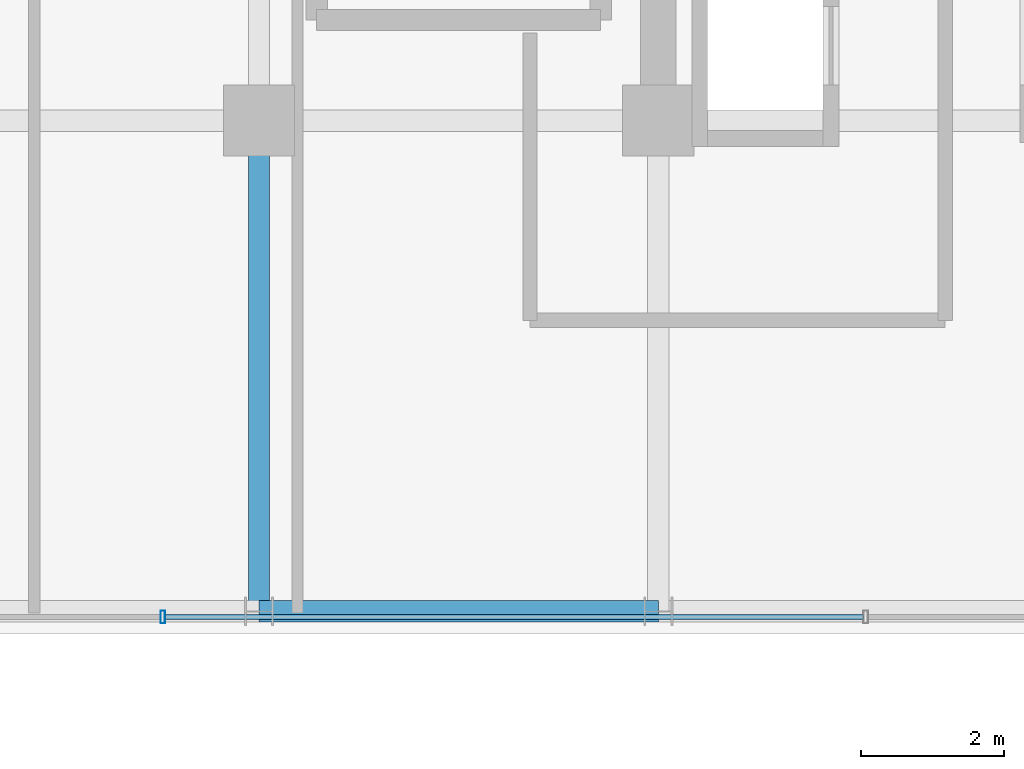
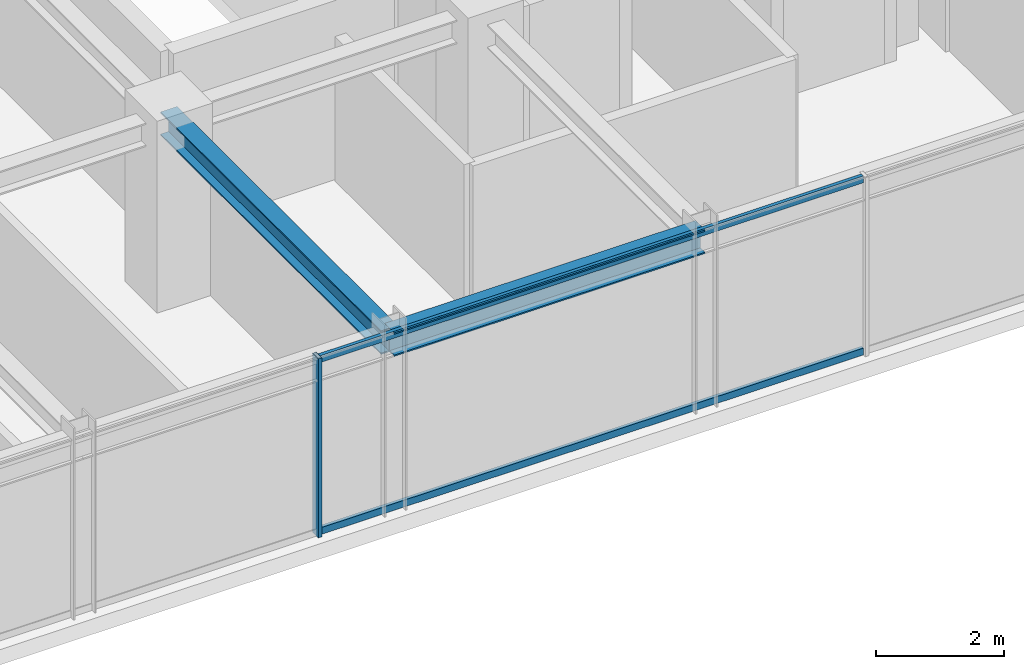
# One storey, part 6 of 36: 3 members, 2 beams, 1 element without a shape of its own.
"""IFC4 building model written with IfcOpenShell, lengths in metres."""

from ifc_helpers import new_model, si_unit, direction, frame, origin, origin_2d, place, context, subcontext, project, spatial, hollow_rectangle, i_section, extrude, source, transform, mapped, material, material_profile, profile_set, type_object, element, aggregate, save


model = new_model("IFC4")

# Units and contexts
model_context = context("Model", 3, precision=1e-05, world=origin(), true_north=direction((0.0, 1.0)))
body_context = subcontext(model_context, "Body", "Model", "MODEL_VIEW")
ifc_project = project(units=[si_unit("LENGTHUNIT", "METRE"), si_unit("AREAUNIT", "SQUARE_METRE"), si_unit("VOLUMEUNIT", "CUBIC_METRE"), si_unit("PLANEANGLEUNIT", "RADIAN"), si_unit("MASSUNIT", "GRAM", prefix="KILO")], contexts=[model_context])

# Site, building, storey
site_placement = place(None, origin())
site = spatial("IfcSite", under=ifc_project, at=site_placement, CompositionType="ELEMENT")
building_placement = place(site_placement, origin())
building = spatial("IfcBuilding", under=site, at=building_placement, Name="Nahalor Promenade Grand Hotel", CompositionType="ELEMENT")
storey_placement = place(building_placement, frame((0.0, 0.0, 223.39990234375)))
storey = spatial("IfcBuildingStorey", under=building, at=storey_placement, Name="L57", CompositionType="ELEMENT", Elevation=223.39990234375)

# Beams
ifc_material_1 = material(Name="Steel S355JR", Category="steel")
ifc_material_profile_1 = material_profile(ifc_material_1, i_section(OverallWidth=0.3, OverallDepth=0.45, WebThickness=0.014, FlangeThickness=0.026, at=origin_2d()), Name="HEB 450")
ifc_profile_set_1 = profile_set([ifc_material_profile_1], Name="Steel S355JR")
beam_type_1 = type_object("IfcBeamType", Name="Beam-Spandrel-HEB450", PredefinedType="SPANDREL", material=ifc_profile_set_1)
shared_shape_1 = source(origin(), body_context, "Body", "SweptSolid", [
    extrude(i_section(OverallWidth=0.3, OverallDepth=0.45, WebThickness=0.014, FlangeThickness=0.026, at=origin_2d()), origin(), (0.0, 0.0, 1.0), 5.599853515625),
])
beam_1_placement = place(storey_placement, frame((2.800048828125, -23.8798828125, 3.18505859375), z_axis=(1.0, 0.0, 0.0), x_axis=(0.0, 1.0, 0.0)))
element("IfcBeam", 1, at=beam_1_placement, inside=storey, type_object=beam_type_1, Name="BM-L57-SP-S-3", PredefinedType="SPANDREL", context=body_context, shape_type="MappedRepresentation", body=[
    mapped(shared_shape_1, transform((0.0, 0.0, 0.0), scale=1.0)),
])
ifc_material_profile_2 = material_profile(ifc_material_1, i_section(OverallWidth=0.3, OverallDepth=0.45, WebThickness=0.014, FlangeThickness=0.026, at=origin_2d()), Name="HEB 450")
ifc_profile_set_2 = profile_set([ifc_material_profile_2], Name="Steel S355JR")
beam_type_2 = type_object("IfcBeamType", Name="Beam-Girder-HEB450", PredefinedType="BEAM", material=ifc_profile_set_2)
shared_shape_2 = source(origin(), body_context, "Body", "SweptSolid", [
    extrude(i_section(OverallWidth=0.3, OverallDepth=0.45, WebThickness=0.014, FlangeThickness=0.026, at=origin_2d()), origin(), (0.0, 0.0, 1.0), 6.8798828125),
])
beam_2_placement = place(storey_placement, frame((2.800048828125, -23.8798828125, 3.18505859375), z_axis=(0.0, 1.0, 0.0), x_axis=(-1.0, 0.0, 0.0)))
element("IfcBeam", 2, at=beam_2_placement, inside=storey, type_object=beam_type_2, Name="BM-L57-GY-3-0", PredefinedType="BEAM", context=body_context, shape_type="MappedRepresentation", body=[
    mapped(shared_shape_2, transform((0.0, 0.0, 0.0), scale=1.0)),
])

# Curtain wall, members
ifc_material_2 = material(Name="Anodised Bronze Aluminium EN AW-6063 T6", Category="aluminium")
curtain_wall_type = type_object("IfcCurtainWallType", Name="CW2 Typical Hotel Flush Bronze Unitised Curtain Wall", PredefinedType="USERDEFINED", material=ifc_material_2)
curtain_wall_placement = place(storey_placement, origin())
curtain_wall = element("IfcCurtainWall", 3, at=curtain_wall_placement, inside=storey, type_object=curtain_wall_type, Name="L57 Curtain Wall CW-L57-S-3", ObjectType="UNITISED_CURTAIN_WALL", PredefinedType="USERDEFINED")
ifc_material_profile_3 = material_profile(ifc_material_2, hollow_rectangle(XDim=0.065, YDim=0.18, WallThickness=0.004, at=origin_2d()), Name="CWM 65x180x4")
ifc_profile_set_3 = profile_set([ifc_material_profile_3], Name="Anodised Bronze Aluminium EN AW-6063 T6")
member_type_1 = type_object("IfcMemberType", Name="CWM2 Typical Bronze Mullion 65x180", PredefinedType="MULLION", material=ifc_profile_set_3)
shared_shape_3 = source(origin(), body_context, "Body", "SweptSolid", [
    extrude(hollow_rectangle(XDim=0.065, YDim=0.18, WallThickness=0.004, at=origin_2d()), origin(), (0.0, 0.0, 1.0), 3.41015625),
])
member_1_placement = place(storey_placement, frame((1.453369140625, -23.9599609375, 0.0), z_axis=(0.0, 0.0, 1.0), x_axis=(1.0, 0.0, 0.0)))
member_1 = element("IfcMember", 4, at=member_1_placement, type_object=member_type_1, Name="CW-L57-S-3 Mullion 1", PredefinedType="MULLION", context=body_context, shape_type="MappedRepresentation", body=[
    mapped(shared_shape_3, transform((0.0, 0.0, 0.0), scale=1.0)),
])
ifc_material_profile_4 = material_profile(ifc_material_2, hollow_rectangle(XDim=0.065, YDim=0.13, WallThickness=0.004, at=origin_2d()), Name="CWT 65x130x4")
ifc_profile_set_4 = profile_set([ifc_material_profile_4], Name="Anodised Bronze Aluminium EN AW-6063 T6")
member_type_2 = type_object("IfcMemberType", Name="CWT2 Typical Bronze Transom 65x130", PredefinedType="USERDEFINED", material=ifc_profile_set_4)
shared_shape_4 = source(origin(), body_context, "Body", "SweptSolid", [
    extrude(hollow_rectangle(XDim=0.065, YDim=0.13, WallThickness=0.004, at=origin_2d()), origin(), (0.0, 0.0, 1.0), 9.788330078125),
])
member_2_placement = place(storey_placement, frame((1.48583984375, -23.9599609375, 0.065185546875), z_axis=(1.0, 0.0, 0.0), x_axis=(0.0, 1.0, 0.0)))
member_2 = element("IfcMember", 5, at=member_2_placement, type_object=member_type_2, Name="CW-L57-S-3 Transom 1-0", ObjectType="TRANSOM", PredefinedType="USERDEFINED", context=body_context, shape_type="MappedRepresentation", body=[
    mapped(shared_shape_4, transform((0.0, 0.0, 0.0), scale=1.0)),
])
member_3_placement = place(storey_placement, frame((1.48583984375, -23.9599609375, 3.34521484375), z_axis=(1.0, 0.0, 0.0), x_axis=(0.0, 1.0, 0.0)))
member_3 = element("IfcMember", 6, at=member_3_placement, type_object=member_type_2, Name="CW-L57-S-3 Transom 1-1", ObjectType="TRANSOM", PredefinedType="USERDEFINED", context=body_context, shape_type="MappedRepresentation", body=[
    mapped(shared_shape_4, transform((0.0, 0.0, 0.0), scale=1.0)),
])
aggregate(curtain_wall, [member_1, member_2, member_3])

save(model, "model.ifc")
